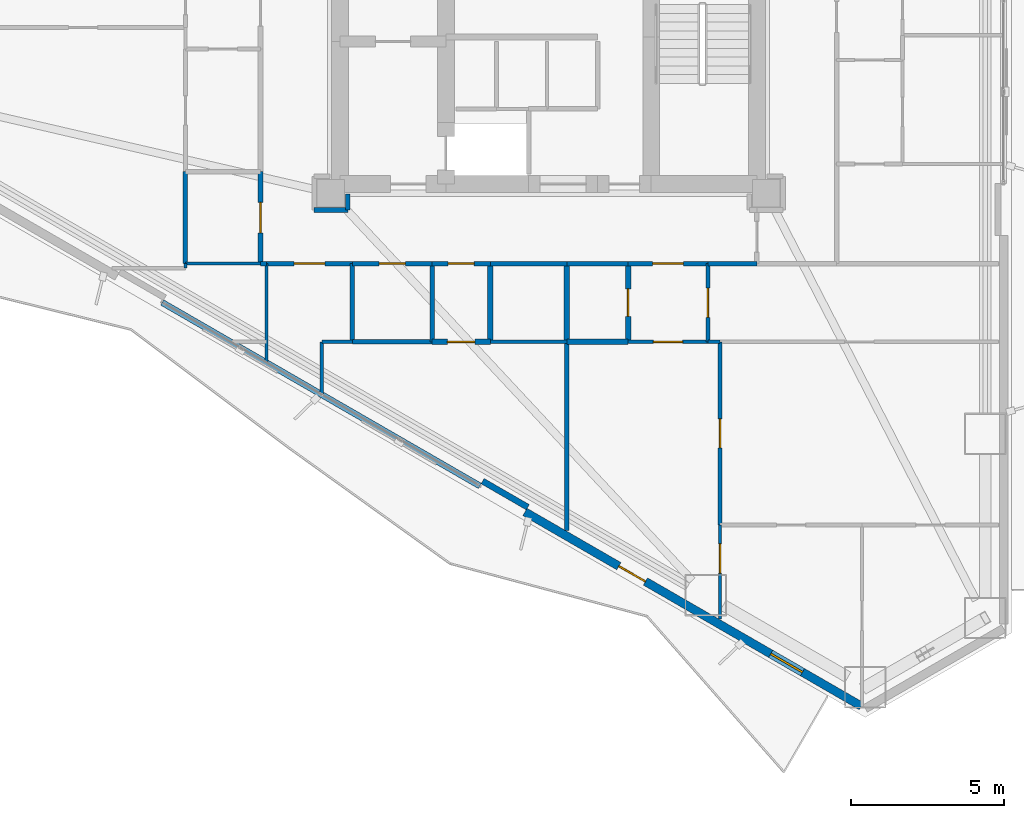
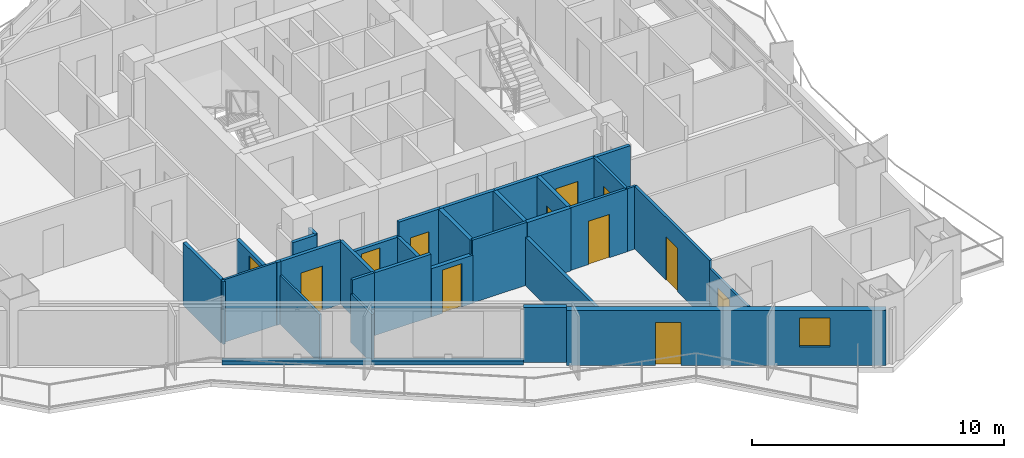
# One storey, part 12 of 19: 35 walls, 12 doors, 1 window, 13 openings.
"""IFC4 building model written with IfcOpenShell, lengths in metres."""

from ifc_helpers import new_model, si_unit, direction, frame, frame_2d, origin, place, context, subcontext, project, spatial, rectangle, extrude, material, layer, layer_set, type_object, element, fill, save


model = new_model("IFC4")

# Units and contexts
model_context = context("Model", 3, precision=1e-05, world=origin(), true_north=direction((0.0, 1.0)))
body_context = subcontext(model_context, "Body", "Model", "MODEL_VIEW")
ifc_project = project(units=[si_unit("LENGTHUNIT", "METRE"), si_unit("AREAUNIT", "SQUARE_METRE"), si_unit("VOLUMEUNIT", "CUBIC_METRE"), si_unit("PLANEANGLEUNIT", "RADIAN"), si_unit("MASSUNIT", "GRAM", prefix="KILO")], contexts=[model_context])

# Site, building, storey
site_placement = place(None, origin())
site = spatial("IfcSite", under=ifc_project, at=site_placement, CompositionType="ELEMENT")
building_placement = place(site_placement, origin())
building = spatial("IfcBuilding", under=site, at=building_placement, Name="Mersakhor Tower and Convention Hall", CompositionType="ELEMENT")
storey_placement = place(building_placement, frame((0.0, 0.0, 22.5)))
storey = spatial("IfcBuildingStorey", under=building, at=storey_placement, Name="L05", CompositionType="ELEMENT", Elevation=22.5)

# Wall, openings, door, window
ifc_material_1 = material(Name="Precast concrete C45/55", Category="concrete")
ifc_layer_1 = layer(ifc_material_1, 0.27490234375)
ifc_layer_set_1 = layer_set([ifc_layer_1], Name="Precast concrete C45/55")
wall_type_1 = type_object("IfcWallType", Name="WL-EXT-275", PredefinedType="SOLIDWALL", material=ifc_layer_set_1)
wall_1_placement = place(storey_placement, frame((39.20703125, 3.709716796875, 0.0), z_axis=(0.0, 0.0, 1.0), x_axis=(-0.86603192154, 0.499988710747, 0.0)))
wall_1 = element("IfcWall", 1, at=wall_1_placement, inside=storey, type_object=wall_type_1, Name="L05 Exterior Facade Wall F3-B1", PredefinedType="SOLIDWALL", context=body_context, shape_type="SweptSolid", body=[
    extrude(rectangle(XDim=12.673095703125, YDim=0.27490234375, at=frame_2d((6.33642578125, 0.0))), origin(), (0.0, 0.0, 1.0), 2.659912109375),
])
opening_1_placement = place(wall_1_placement, frame((8.135986328125, 0.0, 0.0)))
opening_1 = element("IfcOpeningElement", 2, at=opening_1_placement, cuts=wall_1, Name="Opening BD-01", PredefinedType="OPENING", context=body_context, shape_type="SweptSolid", body=[
    extrude(rectangle(XDim=1.0, YDim=2.10009765625, at=frame_2d((0.5, 1.050048828125))), frame((0.0, 0.1474609375, 0.0), z_axis=(0.0, -1.0, 0.0), x_axis=(1.0, 0.0, 0.0)), (0.0, 0.0, 1.0), 0.294921875),
])
opening_2_placement = place(wall_1_placement, frame((2.216064453125, 0.0, 0.89990234375)))
opening_2 = element("IfcOpeningElement", 3, at=opening_2_placement, cuts=wall_1, Name="Opening W-01", PredefinedType="OPENING", context=body_context, shape_type="SweptSolid", body=[
    extrude(rectangle(XDim=1.199951171875, YDim=1.39990234375, at=frame_2d((0.60009765625, 0.699951171875))), frame((0.0, 0.1474609375, 0.0), z_axis=(0.0, -1.0, 0.0), x_axis=(1.0, 0.0, 0.0)), (0.0, 0.0, 1.0), 0.294921875),
])
ifc_material_2 = material(Name="Thermally broken dark aluminium and safety glass", Category="aluminium")
door_type_1 = type_object("IfcDoorType", Name="DR-BAL-100x210", OperationType="NOTDEFINED", PredefinedType="DOOR", material=ifc_material_2)
door_1_placement = place(opening_1_placement, origin())
door_1 = element("IfcDoor", 4, at=door_1_placement, inside=storey, type_object=door_type_1, Name="L05 Balcony Terrace Door F3-B1", OperationType="SINGLE_SWING_LEFT", OverallHeight=2.10009765625, OverallWidth=1.0, PredefinedType="DOOR", context=body_context, shape_type="SweptSolid", body=[
    extrude(rectangle(XDim=1.0, YDim=2.10009765625, at=frame_2d((0.5, 1.050048828125))), frame((0.0, 0.02490234375, 0.0), z_axis=(0.0, -1.0, 0.0), x_axis=(1.0, 0.0, 0.0)), (0.0, 0.0, 1.0), 0.050048828125),
])
fill(opening_1, door_1)
ifc_material_3 = material(Name="Dark solar low-E glazed aluminium window", Category="aluminium")
window_type = type_object("IfcWindowType", Name="WN-RES-120x150", PartitioningType="SINGLE_PANEL", PredefinedType="WINDOW", material=ifc_material_3)
window_placement = place(opening_2_placement, origin())
window = element("IfcWindow", 5, at=window_placement, inside=storey, type_object=window_type, Name="L05 Bedroom Facade Window F3-B1-1", OverallHeight=1.39990234375, OverallWidth=1.199951171875, PartitioningType="SINGLE_PANEL", PredefinedType="WINDOW", context=body_context, shape_type="SweptSolid", body=[
    extrude(rectangle(XDim=1.199951171875, YDim=1.39990234375, at=frame_2d((0.60009765625, 0.699951171875))), frame((0.0, 0.030029296875, 0.0), z_axis=(0.0, -1.0, 0.0), x_axis=(1.0, 0.0, 0.0)), (0.0, 0.0, 1.0), 0.06005859375),
])
fill(opening_2, window)

# Walls
ifc_material_4 = material(Name="Precast concrete C40/50", Category="concrete")
ifc_layer_2 = layer(ifc_material_4, 0.199951171875)
ifc_layer_set_2 = layer_set([ifc_layer_2], Name="Precast concrete C40/50")
wall_type_2 = type_object("IfcWallType", Name="WL-PAR-200", PredefinedType="PARAPET", material=ifc_layer_set_2)
wall_2_placement = place(storey_placement, frame((26.759521484375, 10.896240234375, 0.0), z_axis=(0.0, 0.0, 1.0), x_axis=(-0.866027351828, 0.499996625875, 0.0)))
element("IfcWall", 6, at=wall_2_placement, inside=storey, type_object=wall_type_2, Name="L05 Curtain Wall Upstand Sill F3-B2", PredefinedType="PARAPET", context=body_context, shape_type="SweptSolid", body=[
    extrude(rectangle(XDim=11.97314453125, YDim=0.199951171875, at=frame_2d((5.986572265625, 0.0))), origin(), (0.0, 0.0, 1.0), 0.199951171875),
])
wall_3_placement = place(storey_placement, frame((28.32177734375, 10.2021484375, 0.0), z_axis=(0.0, 0.0, 1.0), x_axis=(-0.86605165483, 0.499954529098, 0.0)))
element("IfcWall", 7, at=wall_3_placement, inside=storey, type_object=wall_type_2, Name="L05 Column Pier Cladding Wall F3-C1", PredefinedType="PARAPET", context=body_context, shape_type="SweptSolid", body=[
    extrude(rectangle(XDim=1.699951171875, YDim=0.199951171875, at=frame_2d((0.85009765625, 0.0))), origin(), (0.0, 0.0, 1.0), 2.659912109375),
])

# Wall, opening, door
ifc_material_5 = material(Name="Moisture-resistant acoustic drywall studwork", Category="other")
ifc_layer_3 = layer(ifc_material_5, 0.175048828125)
ifc_layer_set_3 = layer_set([ifc_layer_3], Name="Moisture-resistant acoustic drywall studwork")
wall_type_3 = type_object("IfcWallType", Name="WL-PLM-175", PredefinedType="PLUMBINGWALL", material=ifc_layer_set_3)
wall_4_placement = place(storey_placement, frame((31.60009765625, 15.60009765625, 0.0), z_axis=(0.0, 0.0, 1.0), x_axis=(0.0, 1.0, 0.0)))
wall_4 = element("IfcWall", 8, at=wall_4_placement, inside=storey, type_object=wall_type_3, Name="L05 Interior Partition Wall P-070", PredefinedType="PLUMBINGWALL", context=body_context, shape_type="SweptSolid", body=[
    extrude(rectangle(XDim=2.5498046875, YDim=0.175048828125, at=frame_2d((1.27490234375, 0.0))), origin(), (0.0, 0.0, 1.0), 3.0400390625),
])
opening_3_placement = place(wall_4_placement, frame((0.824951171875, 0.0, 0.0)))
opening_3 = element("IfcOpeningElement", 9, at=opening_3_placement, cuts=wall_4, Name="Opening WD-01", PredefinedType="OPENING", context=body_context, shape_type="SweptSolid", body=[
    extrude(rectangle(XDim=0.89990234375, YDim=2.10009765625, at=frame_2d((0.449951171875, 1.050048828125))), frame((0.0, 0.097412109375, 0.0), z_axis=(0.0, -1.0, 0.0), x_axis=(1.0, 0.0, 0.0)), (0.0, 0.0, 1.0), 0.195068359375),
])
ifc_material_6 = material(Name="Solid-core hardwood leaf in painted steel frame", Category="steel")
door_type_2 = type_object("IfcDoorType", Name="DR-INT-WET-090x210", OperationType="NOTDEFINED", PredefinedType="DOOR", material=ifc_material_6)
door_2_placement = place(opening_3_placement, origin())
door_2 = element("IfcDoor", 10, at=door_2_placement, inside=storey, type_object=door_type_2, Name="L05 L05 Flat S3 Apartment Hall to L05 Flat S3 Bathroom Door", OperationType="SINGLE_SWING_LEFT", OverallHeight=2.10009765625, OverallWidth=0.89990234375, PredefinedType="DOOR", context=body_context, shape_type="SweptSolid", body=[
    extrude(rectangle(XDim=0.89990234375, YDim=2.10009765625, at=frame_2d((0.449951171875, 1.050048828125))), frame((0.0, 0.02490234375, 0.0), z_axis=(0.0, -1.0, 0.0), x_axis=(1.0, 0.0, 0.0)), (0.0, 0.0, 1.0), 0.050048828125),
])
fill(opening_3, door_2)

wall_5_placement = place(storey_placement, frame((27.10009765625, 15.60009765625, 0.0), z_axis=(0.0, 0.0, 1.0), x_axis=(-1.0, 0.0, 0.0)))
wall_5 = element("IfcWall", 11, at=wall_5_placement, inside=storey, type_object=wall_type_3, Name="L05 Interior Partition Wall P-087", PredefinedType="PLUMBINGWALL", context=body_context, shape_type="SweptSolid", body=[
    extrude(rectangle(XDim=1.900146484375, YDim=0.175048828125, at=frame_2d((0.9501953125, 0.0))), origin(), (0.0, 0.0, 1.0), 2.33740234375),
])
opening_4_placement = place(wall_5_placement, frame((0.5, 0.0, 0.0)))
opening_4 = element("IfcOpeningElement", 12, at=opening_4_placement, cuts=wall_5, Name="Opening WD-01", PredefinedType="OPENING", context=body_context, shape_type="SweptSolid", body=[
    extrude(rectangle(XDim=0.89990234375, YDim=2.10009765625, at=frame_2d((0.449951171875, 1.050048828125))), frame((0.0, 0.097412109375, 0.0), z_axis=(0.0, -1.0, 0.0), x_axis=(1.0, 0.0, 0.0)), (0.0, 0.0, 1.0), 0.195068359375),
])
door_3_placement = place(opening_4_placement, origin())
door_3 = element("IfcDoor", 13, at=door_3_placement, inside=storey, type_object=door_type_2, Name="L05 L05 Floor Shared Restroom WC 2-2 to L05 Floor Residents Study Room 2-4 Door", OperationType="SINGLE_SWING_RIGHT", OverallHeight=2.10009765625, OverallWidth=0.89990234375, PredefinedType="DOOR", context=body_context, shape_type="SweptSolid", body=[
    extrude(rectangle(XDim=0.89990234375, YDim=2.10009765625, at=frame_2d((0.449951171875, 1.050048828125))), frame((0.0, 0.02490234375, 0.0), z_axis=(0.0, -1.0, 0.0), x_axis=(1.0, 0.0, 0.0)), (0.0, 0.0, 1.0), 0.050048828125),
])
fill(opening_4, door_3)

# Walls
wall_6_placement = place(storey_placement, frame((27.10009765625, 18.14990234375, 0.0), z_axis=(0.0, 0.0, 1.0), x_axis=(0.0, -1.0, 0.0)))
element("IfcWall", 14, at=wall_6_placement, inside=storey, type_object=wall_type_3, Name="L05 Interior Partition Wall P-089", PredefinedType="PLUMBINGWALL", context=body_context, shape_type="SweptSolid", body=[
    extrude(rectangle(XDim=2.5498046875, YDim=0.175048828125, at=frame_2d((1.27490234375, 0.0))), origin(), (0.0, 0.0, 1.0), 3.0400390625),
])
wall_7_placement = place(storey_placement, frame((31.60009765625, 15.60009765625, 0.0), z_axis=(0.0, 0.0, 1.0), x_axis=(-1.0, 0.0, 0.0)))
element("IfcWall", 15, at=wall_7_placement, inside=storey, type_object=wall_type_3, Name="L05 Interior Partition Wall P-090", PredefinedType="PLUMBINGWALL", context=body_context, shape_type="SweptSolid", body=[
    extrude(rectangle(XDim=2.0, YDim=0.175048828125, at=frame_2d((1.0, 0.0))), origin(), (0.0, 0.0, 1.0), 3.0400390625),
])
wall_8_placement = place(storey_placement, frame((29.60009765625, 15.60009765625, 0.0), z_axis=(0.0, 0.0, 1.0), x_axis=(0.0, 1.0, 0.0)))
element("IfcWall", 16, at=wall_8_placement, inside=storey, type_object=wall_type_3, Name="L05 Interior Partition Wall P-091", PredefinedType="PLUMBINGWALL", context=body_context, shape_type="SweptSolid", body=[
    extrude(rectangle(XDim=2.5498046875, YDim=0.175048828125, at=frame_2d((1.27490234375, 0.0))), origin(), (0.0, 0.0, 1.0), 3.0400390625),
])
ifc_material_7 = material(Name="Lightweight gypsum partition", Category="other")
ifc_layer_4 = layer(ifc_material_7, 0.10009765625)
ifc_layer_set_4 = layer_set([ifc_layer_4], Name="Lightweight gypsum partition")
wall_type_4 = type_object("IfcWallType", Name="WL-PRT-100", PredefinedType="PARTITIONING", material=ifc_layer_set_4)
wall_9_placement = place(storey_placement, frame((34.60009765625, 15.60009765625, 0.0), z_axis=(0.0, 0.0, 1.0), x_axis=(-1.0, 0.0, 0.0)))
element("IfcWall", 17, at=wall_9_placement, inside=storey, type_object=wall_type_4, Name="L05 Interior Partition Wall P-094", PredefinedType="PARTITIONING", context=body_context, shape_type="SweptSolid", body=[
    extrude(rectangle(XDim=0.400146484375, YDim=0.10009765625, at=frame_2d((0.2001953125, 0.0))), origin(), (0.0, 0.0, 1.0), 3.0400390625),
])
wall_10_placement = place(storey_placement, frame((19.60009765625, 18.14990234375, 0.0), z_axis=(0.0, 0.0, 1.0), x_axis=(-1.0, 0.0, 0.0)))
element("IfcWall", 18, at=wall_10_placement, inside=storey, type_object=wall_type_4, Name="L05 Interior Partition Wall P-112", PredefinedType="PARTITIONING", context=body_context, shape_type="SweptSolid", body=[
    extrude(rectangle(XDim=2.4501953125, YDim=0.10009765625, at=frame_2d((1.22509765625, 0.0))), origin(), (0.0, 0.0, 1.0), 3.0400390625),
])
wall_11_placement = place(storey_placement, frame((21.60009765625, 15.60009765625, 0.0), z_axis=(0.0, 0.0, 1.0), x_axis=(0.0, -1.0, 0.0)))
element("IfcWall", 19, at=wall_11_placement, inside=storey, type_object=wall_type_4, Name="L05 Interior Partition Wall P-126", PredefinedType="PARTITIONING", context=body_context, shape_type="SweptSolid", body=[
    extrude(rectangle(XDim=1.68359375, YDim=0.10009765625, at=frame_2d((0.841796875, 0.0))), origin(), (0.0, 0.0, 1.0), 2.364990234375),
])
wall_12_placement = place(storey_placement, frame((19.800048828125, 14.955810546875, 0.0), z_axis=(0.0, 0.0, 1.0), x_axis=(0.0, 1.0, 0.0)))
element("IfcWall", 20, at=wall_12_placement, inside=storey, type_object=wall_type_4, Name="L05 Interior Partition Wall P-128", PredefinedType="PARTITIONING", context=body_context, shape_type="SweptSolid", body=[
    extrude(rectangle(XDim=3.194091796875, YDim=0.10009765625, at=frame_2d((1.59716796875, 0.0))), origin(), (0.0, 0.0, 1.0), 2.364990234375),
])

# Wall, opening, door
wall_13_placement = place(storey_placement, frame((34.60009765625, 9.6201171875, 0.0), z_axis=(0.0, 0.0, 1.0), x_axis=(0.0, -1.0, 0.0)))
wall_13 = element("IfcWall", 21, at=wall_13_placement, inside=storey, type_object=wall_type_4, Name="L05 Interior Partition Wall P-132", PredefinedType="PARTITIONING", context=body_context, shape_type="SweptSolid", body=[
    extrude(rectangle(XDim=3.064208984375, YDim=0.10009765625, at=frame_2d((1.5322265625, 0.0))), origin(), (0.0, 0.0, 1.0), 2.650390625),
])
opening_5_placement = place(wall_13_placement, frame((0.6171875, 0.0, 0.0)))
opening_5 = element("IfcOpeningElement", 22, at=opening_5_placement, cuts=wall_13, Name="Opening RD-01", PredefinedType="OPENING", context=body_context, shape_type="SweptSolid", body=[
    extrude(rectangle(XDim=0.949951171875, YDim=2.10009765625, at=frame_2d((0.47509765625, 1.050048828125))), frame((0.0, 0.06005859375, 0.0), z_axis=(0.0, -1.0, 0.0), x_axis=(1.0, 0.0, 0.0)), (0.0, 0.0, 1.0), 0.1201171875),
])
ifc_material_8 = material(Name="Solid-core hardwood leaf in painted steel frame", Category="steel")
door_type_3 = type_object("IfcDoorType", Name="DR-INT-RM-095x210", OperationType="NOTDEFINED", PredefinedType="DOOR", material=ifc_material_8)
door_4_placement = place(opening_5_placement, origin())
door_4 = element("IfcDoor", 23, at=door_4_placement, inside=storey, type_object=door_type_3, Name="L05 L05 Flat S3 Living and Dining Room to L05 Flat S3 Bedroom 1 Door", OperationType="SINGLE_SWING_LEFT", OverallHeight=2.10009765625, OverallWidth=0.949951171875, PredefinedType="DOOR", context=body_context, shape_type="SweptSolid", body=[
    extrude(rectangle(XDim=0.949951171875, YDim=2.10009765625, at=frame_2d((0.47509765625, 1.050048828125))), frame((0.0, 0.02490234375, 0.0), z_axis=(0.0, -1.0, 0.0), x_axis=(1.0, 0.0, 0.0)), (0.0, 0.0, 1.0), 0.050048828125),
])
fill(opening_5, door_4)

# Wall
wall_14_placement = place(storey_placement, frame((17.14990234375, 18.14990234375, 0.0), z_axis=(0.0, 0.0, 1.0), x_axis=(0.0, -1.0, 0.0)))
element("IfcWall", 24, at=wall_14_placement, inside=storey, type_object=wall_type_4, Name="L05 Interior Partition Wall P-142", PredefinedType="PARTITIONING", context=body_context, shape_type="SweptSolid", body=[
    extrude(rectangle(XDim=0.14990234375, YDim=0.10009765625, at=frame_2d((0.074951171875, 0.0))), origin(), (0.0, 0.0, 1.0), 3.0400390625),
])

# Wall, opening, door
ifc_material_9 = material(Name="Gypsum board acoustic partition", Category="other")
ifc_layer_5 = layer(ifc_material_9, 0.125)
ifc_layer_set_5 = layer_set([ifc_layer_5], Name="Gypsum board acoustic partition")
wall_type_5 = type_object("IfcWallType", Name="WL-PRT-125", PredefinedType="PARTITIONING", material=ifc_layer_set_5)
wall_15_placement = place(storey_placement, frame((34.199951171875, 15.60009765625, 0.0), z_axis=(0.0, 0.0, 1.0), x_axis=(-1.0, 0.0, 0.0)))
wall_15 = element("IfcWall", 25, at=wall_15_placement, inside=storey, type_object=wall_type_5, Name="L05 Interior Partition Wall P-069", PredefinedType="PARTITIONING", context=body_context, shape_type="SweptSolid", body=[
    extrude(rectangle(XDim=2.599853515625, YDim=0.125, at=frame_2d((1.2998046875, 0.0))), origin(), (0.0, 0.0, 1.0), 3.0400390625),
])
opening_6_placement = place(wall_15_placement, frame((0.824951171875, 0.0, 0.0)))
opening_6 = element("IfcOpeningElement", 26, at=opening_6_placement, cuts=wall_15, Name="Opening RD-01", PredefinedType="OPENING", context=body_context, shape_type="SweptSolid", body=[
    extrude(rectangle(XDim=0.949951171875, YDim=2.10009765625, at=frame_2d((0.47509765625, 1.050048828125))), frame((0.0, 0.072509765625, 0.0), z_axis=(0.0, -1.0, 0.0), x_axis=(1.0, 0.0, 0.0)), (0.0, 0.0, 1.0), 0.14501953125),
])
door_5_placement = place(opening_6_placement, origin())
door_5 = element("IfcDoor", 27, at=door_5_placement, inside=storey, type_object=door_type_3, Name="L05 L05 Flat S3 Apartment Hall to L05 Flat S3 Living and Dining Room Door", OperationType="SINGLE_SWING_LEFT", OverallHeight=2.10009765625, OverallWidth=0.949951171875, PredefinedType="DOOR", context=body_context, shape_type="SweptSolid", body=[
    extrude(rectangle(XDim=0.949951171875, YDim=2.10009765625, at=frame_2d((0.47509765625, 1.050048828125))), frame((0.0, 0.02490234375, 0.0), z_axis=(0.0, -1.0, 0.0), x_axis=(1.0, 0.0, 0.0)), (0.0, 0.0, 1.0), 0.050048828125),
])
fill(opening_6, door_5)

wall_16_placement = place(storey_placement, frame((34.199951171875, 18.14990234375, 0.0), z_axis=(0.0, 0.0, 1.0), x_axis=(0.0, -1.0, 0.0)))
wall_16 = element("IfcWall", 28, at=wall_16_placement, inside=storey, type_object=wall_type_5, Name="L05 Interior Partition Wall P-071", PredefinedType="PARTITIONING", context=body_context, shape_type="SweptSolid", body=[
    extrude(rectangle(XDim=2.5498046875, YDim=0.125, at=frame_2d((1.27490234375, 0.0))), origin(), (0.0, 0.0, 1.0), 3.0400390625),
])
opening_7_placement = place(wall_16_placement, frame((0.800048828125, 0.0, 0.0)))
opening_7 = element("IfcOpeningElement", 29, at=opening_7_placement, cuts=wall_16, Name="Opening RD-01", PredefinedType="OPENING", context=body_context, shape_type="SweptSolid", body=[
    extrude(rectangle(XDim=0.949951171875, YDim=2.10009765625, at=frame_2d((0.47509765625, 1.050048828125))), frame((0.0, 0.072509765625, 0.0), z_axis=(0.0, -1.0, 0.0), x_axis=(1.0, 0.0, 0.0)), (0.0, 0.0, 1.0), 0.14501953125),
])
door_6_placement = place(opening_7_placement, origin())
door_6 = element("IfcDoor", 30, at=door_6_placement, inside=storey, type_object=door_type_3, Name="L05 L05 Flat S3 Apartment Hall to L05 Flat S3 Kitchen Door", OperationType="SINGLE_SWING_RIGHT", OverallHeight=2.10009765625, OverallWidth=0.949951171875, PredefinedType="DOOR", context=body_context, shape_type="SweptSolid", body=[
    extrude(rectangle(XDim=0.949951171875, YDim=2.10009765625, at=frame_2d((0.47509765625, 1.050048828125))), frame((0.0, 0.02490234375, 0.0), z_axis=(0.0, -1.0, 0.0), x_axis=(1.0, 0.0, 0.0)), (0.0, 0.0, 1.0), 0.050048828125),
])
fill(opening_7, door_6)

# Walls
wall_17_placement = place(storey_placement, frame((22.60009765625, 15.60009765625, 0.0), z_axis=(0.0, 0.0, 1.0), x_axis=(-1.0, 0.0, 0.0)))
element("IfcWall", 31, at=wall_17_placement, inside=storey, type_object=wall_type_5, Name="L05 Interior Partition Wall P-125", PredefinedType="PARTITIONING", context=body_context, shape_type="SweptSolid", body=[
    extrude(rectangle(XDim=1.0, YDim=0.125, at=frame_2d((0.5, 0.0))), origin(), (0.0, 0.0, 1.0), 3.0400390625),
])
wall_18_placement = place(storey_placement, frame((27.10009765625, 15.60009765625, 0.0), z_axis=(0.0, 0.0, 1.0), x_axis=(1.0, 0.0, 0.0)))
element("IfcWall", 32, at=wall_18_placement, inside=storey, type_object=wall_type_5, Name="L05 Interior Partition Wall P-129", PredefinedType="PARTITIONING", context=body_context, shape_type="SweptSolid", body=[
    extrude(rectangle(XDim=2.5, YDim=0.125, at=frame_2d((1.25, 0.0))), origin(), (0.0, 0.0, 1.0), 3.0400390625),
])

# Wall, opening, door
wall_19_placement = place(storey_placement, frame((34.60009765625, 15.60009765625, 0.0), z_axis=(0.0, 0.0, 1.0), x_axis=(0.0, -1.0, 0.0)))
wall_19 = element("IfcWall", 33, at=wall_19_placement, inside=storey, type_object=wall_type_5, Name="L05 Interior Partition Wall P-131", PredefinedType="PARTITIONING", context=body_context, shape_type="SweptSolid", body=[
    extrude(rectangle(XDim=5.97998046875, YDim=0.125, at=frame_2d((2.989990234375, 0.0))), origin(), (0.0, 0.0, 1.0), 3.0400390625),
])
opening_8_placement = place(wall_19_placement, frame((2.514892578125, 0.0, 0.0)))
opening_8 = element("IfcOpeningElement", 34, at=opening_8_placement, cuts=wall_19, Name="Opening RD-01", PredefinedType="OPENING", context=body_context, shape_type="SweptSolid", body=[
    extrude(rectangle(XDim=0.949951171875, YDim=2.10009765625, at=frame_2d((0.47509765625, 1.050048828125))), frame((0.0, 0.072509765625, 0.0), z_axis=(0.0, -1.0, 0.0), x_axis=(1.0, 0.0, 0.0)), (0.0, 0.0, 1.0), 0.14501953125),
])
door_7_placement = place(opening_8_placement, origin())
door_7 = element("IfcDoor", 35, at=door_7_placement, inside=storey, type_object=door_type_3, Name="L05 L05 Flat S3 Living and Dining Room to L05 Flat S3 Dining Room Door", OperationType="SINGLE_SWING_RIGHT", OverallHeight=2.10009765625, OverallWidth=0.949951171875, PredefinedType="DOOR", context=body_context, shape_type="SweptSolid", body=[
    extrude(rectangle(XDim=0.949951171875, YDim=2.10009765625, at=frame_2d((0.47509765625, 1.050048828125))), frame((0.0, 0.02490234375, 0.0), z_axis=(0.0, -1.0, 0.0), x_axis=(1.0, 0.0, 0.0)), (0.0, 0.0, 1.0), 0.050048828125),
])
fill(opening_8, door_7)

# Walls
ifc_material_10 = material(Name="Fire-rated gypsum board stud partition", Category="other")
ifc_layer_6 = layer(ifc_material_10, 0.14990234375)
ifc_layer_set_6 = layer_set([ifc_layer_6], Name="Fire-rated gypsum board stud partition")
wall_type_6 = type_object("IfcWallType", Name="WL-PRT-150", PredefinedType="PARTITIONING", material=ifc_layer_set_6)
wall_20_placement = place(storey_placement, frame((21.35009765625, 19.89990234375, 0.0), z_axis=(0.0, 0.0, 1.0), x_axis=(1.0, 0.0, 0.0)))
element("IfcWall", 36, at=wall_20_placement, inside=storey, type_object=wall_type_6, Name="L05 Interior Partition Wall P-019", PredefinedType="PARTITIONING", context=body_context, shape_type="SweptSolid", body=[
    extrude(rectangle(XDim=1.099853515625, YDim=0.14990234375, at=frame_2d((0.5498046875, 0.0))), origin(), (0.0, 0.0, 1.0), 2.33740234375),
])
wall_21_placement = place(storey_placement, frame((22.449951171875, 19.89990234375, 0.0), z_axis=(0.0, 0.0, 1.0), x_axis=(0.0, 1.0, 0.0)))
element("IfcWall", 37, at=wall_21_placement, inside=storey, type_object=wall_type_6, Name="L05 Interior Partition Wall P-020", PredefinedType="PARTITIONING", context=body_context, shape_type="SweptSolid", body=[
    extrude(rectangle(XDim=0.525146484375, YDim=0.14990234375, at=frame_2d((0.2626953125, 0.0))), origin(), (0.0, 0.0, 1.0), 2.33740234375),
])
wall_22_placement = place(storey_placement, frame((35.800048828125, 18.14990234375, 0.0), z_axis=(0.0, 0.0, 1.0), x_axis=(-1.0, 0.0, 0.0)))
element("IfcWall", 38, at=wall_22_placement, inside=storey, type_object=wall_type_6, Name="L05 Interior Partition Wall P-024", PredefinedType="PARTITIONING", context=body_context, shape_type="SweptSolid", body=[
    extrude(rectangle(XDim=1.60009765625, YDim=0.14990234375, at=frame_2d((0.800048828125, 0.0))), origin(), (0.0, 0.0, 1.0), 3.0400390625),
])

# Wall, opening, door
wall_23_placement = place(storey_placement, frame((34.199951171875, 18.14990234375, 0.0), z_axis=(0.0, 0.0, 1.0), x_axis=(-1.0, 0.0, 0.0)))
wall_23 = element("IfcWall", 39, at=wall_23_placement, inside=storey, type_object=wall_type_6, Name="L05 Interior Partition Wall P-025", PredefinedType="PARTITIONING", context=body_context, shape_type="SweptSolid", body=[
    extrude(rectangle(XDim=2.599853515625, YDim=0.14990234375, at=frame_2d((1.2998046875, 0.0))), origin(), (0.0, 0.0, 1.0), 3.0400390625),
])
opening_9_placement = place(wall_23_placement, frame((0.800048828125, 0.0, 0.0)))
opening_9 = element("IfcOpeningElement", 40, at=opening_9_placement, cuts=wall_23, Name="Opening FD-01", PredefinedType="OPENING", context=body_context, shape_type="SweptSolid", body=[
    extrude(rectangle(XDim=1.0, YDim=2.14990234375, at=frame_2d((0.5, 1.074951171875))), frame((0.0, 0.0849609375, 0.0), z_axis=(0.0, -1.0, 0.0), x_axis=(1.0, 0.0, 0.0)), (0.0, 0.0, 1.0), 0.169921875),
])
ifc_material_11 = material(Name="Fire-rated hardwood leaf and painted steel frame", Category="steel")
door_type_4 = type_object("IfcDoorType", Name="DR-INT-FLT-100x215", OperationType="NOTDEFINED", PredefinedType="DOOR", material=ifc_material_11)
door_8_placement = place(opening_9_placement, origin())
door_8 = element("IfcDoor", 41, at=door_8_placement, inside=storey, type_object=door_type_4, Name="L05 Apartment Entrance Door (Residential Ring Corridor to L05 Flat S3 Apartment Hall)", OperationType="SINGLE_SWING_RIGHT", OverallHeight=2.14990234375, OverallWidth=1.0, PredefinedType="DOOR", context=body_context, shape_type="SweptSolid", body=[
    extrude(rectangle(XDim=1.0, YDim=2.14990234375, at=frame_2d((0.5, 1.074951171875))), frame((0.0, 0.02490234375, 0.0), z_axis=(0.0, -1.0, 0.0), x_axis=(1.0, 0.0, 0.0)), (0.0, 0.0, 1.0), 0.050048828125),
])
fill(opening_9, door_8)

# Walls
wall_24_placement = place(storey_placement, frame((31.60009765625, 18.14990234375, 0.0), z_axis=(0.0, 0.0, 1.0), x_axis=(-1.0, 0.0, 0.0)))
element("IfcWall", 42, at=wall_24_placement, inside=storey, type_object=wall_type_6, Name="L05 Interior Partition Wall P-026", PredefinedType="PARTITIONING", context=body_context, shape_type="SweptSolid", body=[
    extrude(rectangle(XDim=2.0, YDim=0.14990234375, at=frame_2d((1.0, 0.0))), origin(), (0.0, 0.0, 1.0), 3.0400390625),
])
wall_25_placement = place(storey_placement, frame((29.60009765625, 18.14990234375, 0.0), z_axis=(0.0, 0.0, 1.0), x_axis=(-1.0, 0.0, 0.0)))
element("IfcWall", 43, at=wall_25_placement, inside=storey, type_object=wall_type_6, Name="L05 Interior Partition Wall P-027", PredefinedType="PARTITIONING", context=body_context, shape_type="SweptSolid", body=[
    extrude(rectangle(XDim=2.5, YDim=0.14990234375, at=frame_2d((1.25, 0.0))), origin(), (0.0, 0.0, 1.0), 3.0400390625),
])

# Wall, opening, door
wall_26_placement = place(storey_placement, frame((27.10009765625, 18.14990234375, 0.0), z_axis=(0.0, 0.0, 1.0), x_axis=(-1.0, 0.0, 0.0)))
wall_26 = element("IfcWall", 44, at=wall_26_placement, inside=storey, type_object=wall_type_6, Name="L05 Interior Partition Wall P-028", PredefinedType="PARTITIONING", context=body_context, shape_type="SweptSolid", body=[
    extrude(rectangle(XDim=1.900146484375, YDim=0.14990234375, at=frame_2d((0.9501953125, 0.0))), origin(), (0.0, 0.0, 1.0), 3.0400390625),
])
opening_10_placement = place(wall_26_placement, frame((0.52490234375, 0.0, 0.0)))
opening_10 = element("IfcOpeningElement", 45, at=opening_10_placement, cuts=wall_26, Name="Opening SVD-01", PredefinedType="OPENING", context=body_context, shape_type="SweptSolid", body=[
    extrude(rectangle(XDim=0.85009765625, YDim=2.10009765625, at=frame_2d((0.425048828125, 1.050048828125))), frame((0.0, 0.0849609375, 0.0), z_axis=(0.0, -1.0, 0.0), x_axis=(1.0, 0.0, 0.0)), (0.0, 0.0, 1.0), 0.169921875),
])
ifc_material_12 = material(Name="Fire-rated hardwood leaf and painted steel frame", Category="steel")
door_type_5 = type_object("IfcDoorType", Name="DR-INT-SVC-085x210", OperationType="NOTDEFINED", PredefinedType="DOOR", material=ifc_material_12)
door_9_placement = place(opening_10_placement, origin())
door_9 = element("IfcDoor", 46, at=door_9_placement, inside=storey, type_object=door_type_5, Name="L05 Residential Ring Corridor to L05 Floor Shared Restroom WC 2-2 Door", OperationType="SINGLE_SWING_RIGHT", OverallHeight=2.10009765625, OverallWidth=0.85009765625, PredefinedType="DOOR", context=body_context, shape_type="SweptSolid", body=[
    extrude(rectangle(XDim=0.85009765625, YDim=2.10009765625, at=frame_2d((0.425048828125, 1.050048828125))), frame((0.0, 0.02490234375, 0.0), z_axis=(0.0, -1.0, 0.0), x_axis=(1.0, 0.0, 0.0)), (0.0, 0.0, 1.0), 0.050048828125),
])
fill(opening_10, door_9)

wall_27_placement = place(storey_placement, frame((25.199951171875, 18.14990234375, 0.0), z_axis=(0.0, 0.0, 1.0), x_axis=(-1.0, 0.0, 0.0)))
wall_27 = element("IfcWall", 47, at=wall_27_placement, inside=storey, type_object=wall_type_6, Name="L05 Interior Partition Wall P-029", PredefinedType="PARTITIONING", context=body_context, shape_type="SweptSolid", body=[
    extrude(rectangle(XDim=2.599853515625, YDim=0.14990234375, at=frame_2d((1.2998046875, 0.0))), origin(), (0.0, 0.0, 1.0), 2.33740234375),
])
opening_11_placement = place(wall_27_placement, frame((0.875, 0.0, 0.0)))
opening_11 = element("IfcOpeningElement", 48, at=opening_11_placement, cuts=wall_27, Name="Opening SVD-01", PredefinedType="OPENING", context=body_context, shape_type="SweptSolid", body=[
    extrude(rectangle(XDim=0.85009765625, YDim=2.10009765625, at=frame_2d((0.425048828125, 1.050048828125))), frame((0.0, 0.0849609375, 0.0), z_axis=(0.0, -1.0, 0.0), x_axis=(1.0, 0.0, 0.0)), (0.0, 0.0, 1.0), 0.169921875),
])
door_10_placement = place(opening_11_placement, origin())
door_10 = element("IfcDoor", 49, at=door_10_placement, inside=storey, type_object=door_type_5, Name="L05 Residential Ring Corridor to L05 Floor Household Store Room 2-1 Door", OperationType="SINGLE_SWING_LEFT", OverallHeight=2.10009765625, OverallWidth=0.85009765625, PredefinedType="DOOR", context=body_context, shape_type="SweptSolid", body=[
    extrude(rectangle(XDim=0.85009765625, YDim=2.10009765625, at=frame_2d((0.425048828125, 1.050048828125))), frame((0.0, 0.02490234375, 0.0), z_axis=(0.0, -1.0, 0.0), x_axis=(1.0, 0.0, 0.0)), (0.0, 0.0, 1.0), 0.050048828125),
])
fill(opening_11, door_10)

wall_28_placement = place(storey_placement, frame((22.60009765625, 18.14990234375, 0.0), z_axis=(0.0, 0.0, 1.0), x_axis=(-1.0, 0.0, 0.0)))
wall_28 = element("IfcWall", 50, at=wall_28_placement, inside=storey, type_object=wall_type_6, Name="L05 Interior Partition Wall P-030", PredefinedType="PARTITIONING", context=body_context, shape_type="SweptSolid", body=[
    extrude(rectangle(XDim=2.800048828125, YDim=0.14990234375, at=frame_2d((1.39990234375, 0.0))), origin(), (0.0, 0.0, 1.0), 3.0400390625),
])
opening_12_placement = place(wall_28_placement, frame((0.89990234375, 0.0, 0.0)))
opening_12 = element("IfcOpeningElement", 51, at=opening_12_placement, cuts=wall_28, Name="Opening FD-01", PredefinedType="OPENING", context=body_context, shape_type="SweptSolid", body=[
    extrude(rectangle(XDim=1.0, YDim=2.14990234375, at=frame_2d((0.5, 1.074951171875))), frame((0.0, 0.0849609375, 0.0), z_axis=(0.0, -1.0, 0.0), x_axis=(1.0, 0.0, 0.0)), (0.0, 0.0, 1.0), 0.169921875),
])
door_11_placement = place(opening_12_placement, origin())
door_11 = element("IfcDoor", 52, at=door_11_placement, inside=storey, type_object=door_type_4, Name="L05 Residential Ring Corridor to L05 Floor Shared Tea Pantry 2-3 Door", OperationType="SINGLE_SWING_RIGHT", OverallHeight=2.14990234375, OverallWidth=1.0, PredefinedType="DOOR", context=body_context, shape_type="SweptSolid", body=[
    extrude(rectangle(XDim=1.0, YDim=2.14990234375, at=frame_2d((0.5, 1.074951171875))), frame((0.0, 0.02490234375, 0.0), z_axis=(0.0, -1.0, 0.0), x_axis=(1.0, 0.0, 0.0)), (0.0, 0.0, 1.0), 0.050048828125),
])
fill(opening_12, door_11)

# Wall
wall_29_placement = place(storey_placement, frame((19.800048828125, 18.14990234375, 0.0), z_axis=(0.0, 0.0, 1.0), x_axis=(-1.0, 0.0, 0.0)))
element("IfcWall", 53, at=wall_29_placement, inside=storey, type_object=wall_type_6, Name="L05 Interior Partition Wall P-031", PredefinedType="PARTITIONING", context=body_context, shape_type="SweptSolid", body=[
    extrude(rectangle(XDim=0.199951171875, YDim=0.14990234375, at=frame_2d((0.10009765625, 0.0))), origin(), (0.0, 0.0, 1.0), 3.0400390625),
])

# Wall, opening, door
wall_30_placement = place(storey_placement, frame((19.60009765625, 18.14990234375, 0.0), z_axis=(0.0, 0.0, 1.0), x_axis=(0.0, 1.0, 0.0)))
wall_30 = element("IfcWall", 54, at=wall_30_placement, inside=storey, type_object=wall_type_6, Name="L05 Interior Partition Wall P-032", PredefinedType="PARTITIONING", context=body_context, shape_type="SweptSolid", body=[
    extrude(rectangle(XDim=3.0, YDim=0.14990234375, at=frame_2d((1.5, 0.0))), origin(), (0.0, 0.0, 1.0), 2.33740234375),
])
opening_13_placement = place(wall_30_placement, frame((1.0, 0.0, 0.0)))
opening_13 = element("IfcOpeningElement", 55, at=opening_13_placement, cuts=wall_30, Name="Opening FD-01", PredefinedType="OPENING", context=body_context, shape_type="SweptSolid", body=[
    extrude(rectangle(XDim=1.0, YDim=2.14990234375, at=frame_2d((0.5, 1.074951171875))), frame((0.0, 0.0849609375, 0.0), z_axis=(0.0, -1.0, 0.0), x_axis=(1.0, 0.0, 0.0)), (0.0, 0.0, 1.0), 0.169921875),
])
door_12_placement = place(opening_13_placement, origin())
door_12 = element("IfcDoor", 56, at=door_12_placement, inside=storey, type_object=door_type_4, Name="L05 Residential Ring Corridor to L05 West Wing Shared Laundry Room Door", OperationType="SINGLE_SWING_RIGHT", OverallHeight=2.14990234375, OverallWidth=1.0, PredefinedType="DOOR", context=body_context, shape_type="SweptSolid", body=[
    extrude(rectangle(XDim=1.0, YDim=2.14990234375, at=frame_2d((0.5, 1.074951171875))), frame((0.0, 0.02490234375, 0.0), z_axis=(0.0, -1.0, 0.0), x_axis=(1.0, 0.0, 0.0)), (0.0, 0.0, 1.0), 0.050048828125),
])
fill(opening_13, door_12)

# Walls
wall_31_placement = place(storey_placement, frame((25.199951171875, 15.60009765625, 0.0), z_axis=(0.0, 0.0, 1.0), x_axis=(0.0, 1.0, 0.0)))
element("IfcWall", 57, at=wall_31_placement, inside=storey, type_object=wall_type_6, Name="L05 Interior Partition Wall P-088", PredefinedType="PARTITIONING", context=body_context, shape_type="SweptSolid", body=[
    extrude(rectangle(XDim=2.5498046875, YDim=0.14990234375, at=frame_2d((1.27490234375, 0.0))), origin(), (0.0, 0.0, 1.0), 2.33740234375),
])
wall_32_placement = place(storey_placement, frame((17.14990234375, 18.14990234375, 0.0), z_axis=(0.0, 0.0, 1.0), x_axis=(0.0, 1.0, 0.0)))
element("IfcWall", 58, at=wall_32_placement, inside=storey, type_object=wall_type_6, Name="L05 Interior Partition Wall P-111", PredefinedType="PARTITIONING", context=body_context, shape_type="SweptSolid", body=[
    extrude(rectangle(XDim=3.0, YDim=0.14990234375, at=frame_2d((1.5, 0.0))), origin(), (0.0, 0.0, 1.0), 3.0400390625),
])
wall_33_placement = place(storey_placement, frame((25.199951171875, 15.60009765625, 0.0), z_axis=(0.0, 0.0, 1.0), x_axis=(-1.0, 0.0, 0.0)))
element("IfcWall", 59, at=wall_33_placement, inside=storey, type_object=wall_type_6, Name="L05 Interior Partition Wall P-123", PredefinedType="PARTITIONING", context=body_context, shape_type="SweptSolid", body=[
    extrude(rectangle(XDim=2.599853515625, YDim=0.14990234375, at=frame_2d((1.2998046875, 0.0))), origin(), (0.0, 0.0, 1.0), 3.0400390625),
])
wall_34_placement = place(storey_placement, frame((22.60009765625, 15.60009765625, 0.0), z_axis=(0.0, 0.0, 1.0), x_axis=(0.0, 1.0, 0.0)))
element("IfcWall", 60, at=wall_34_placement, inside=storey, type_object=wall_type_6, Name="L05 Interior Partition Wall P-124", PredefinedType="PARTITIONING", context=body_context, shape_type="SweptSolid", body=[
    extrude(rectangle(XDim=2.5498046875, YDim=0.14990234375, at=frame_2d((1.27490234375, 0.0))), origin(), (0.0, 0.0, 1.0), 3.0400390625),
])
wall_35_placement = place(storey_placement, frame((29.60009765625, 15.60009765625, 0.0), z_axis=(0.0, 0.0, 1.0), x_axis=(0.0, -1.0, 0.0)))
element("IfcWall", 61, at=wall_35_placement, inside=storey, type_object=wall_type_6, Name="L05 Interior Partition Wall P-130", PredefinedType="PARTITIONING", context=body_context, shape_type="SweptSolid", body=[
    extrude(rectangle(XDim=6.1572265625, YDim=0.14990234375, at=frame_2d((3.07861328125, 0.0))), origin(), (0.0, 0.0, 1.0), 2.33740234375),
])

save(model, "model.ifc")
